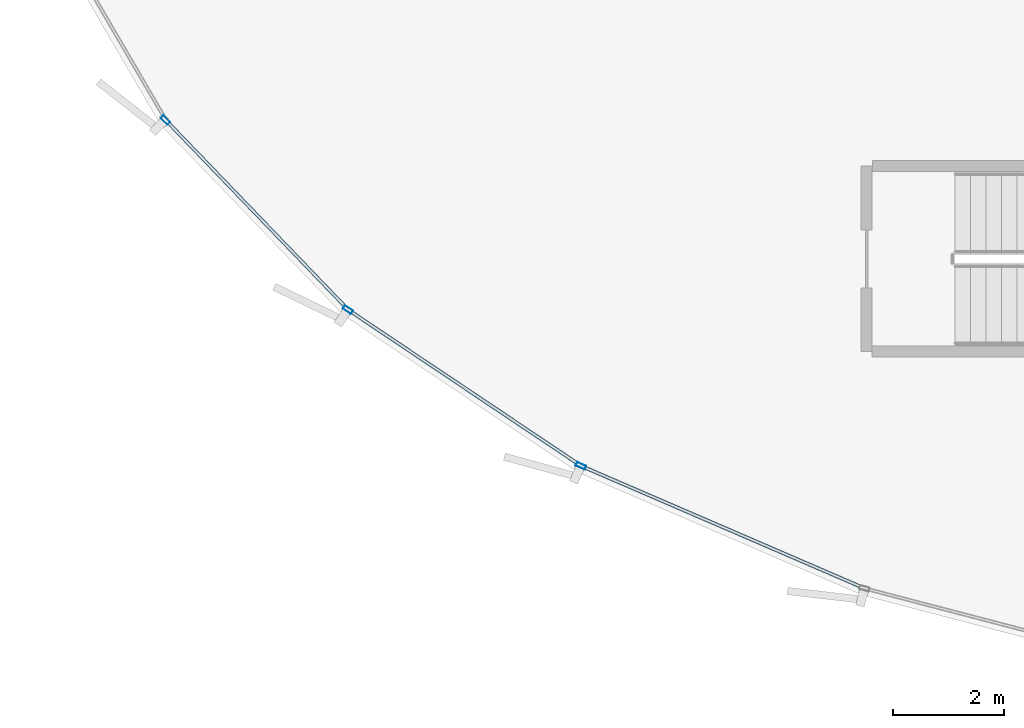
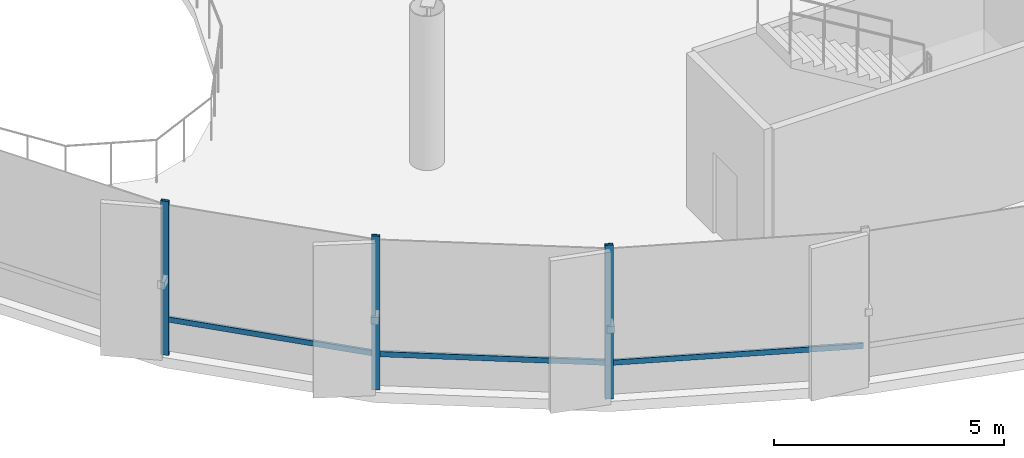
# One storey, part 2 of 34: 6 members, 1 element without a shape of its own.
"""IFC4 building model written with IfcOpenShell, lengths in metres."""

from ifc_helpers import new_model, si_unit, direction, frame, origin, origin_2d, place, context, subcontext, project, spatial, hollow_rectangle, extrude, source, transform, mapped, material, layer, layer_set, material_profile, profile_set, type_object, element, aggregate, save


model = new_model("IFC4")

# Units and contexts
model_context = context("Model", 3, precision=1e-05, world=origin(), true_north=direction((0.0, 1.0)))
body_context = subcontext(model_context, "Body", "Model", "MODEL_VIEW")
ifc_project = project(units=[si_unit("LENGTHUNIT", "METRE"), si_unit("AREAUNIT", "SQUARE_METRE"), si_unit("VOLUMEUNIT", "CUBIC_METRE"), si_unit("PLANEANGLEUNIT", "RADIAN"), si_unit("MASSUNIT", "GRAM", prefix="KILO"), si_unit("THERMODYNAMICTEMPERATUREUNIT", "KELVIN")], contexts=[model_context])

# Site, building, storey
site_placement = place(None, origin())
site = spatial("IfcSite", under=ifc_project, at=site_placement, CompositionType="ELEMENT")
building_placement = place(site_placement, origin())
building = spatial("IfcBuilding", under=site, at=building_placement, Name="Kethvar Cultural Tower", CompositionType="ELEMENT")
storey_placement = place(building_placement, frame((0.0, 0.0, 19.60009765625)))
storey = spatial("IfcBuildingStorey", under=building, at=storey_placement, Name="L04", CompositionType="ELEMENT", Elevation=19.60009765625)

# Curtain wall, members
ifc_material = material(Name="Aluminium 6063-T6", Category="aluminium")
ifc_layer = layer(ifc_material, 0.179931640625, Name="Aluminium 6063-T6", Category="aluminium")
ifc_layer_set = layer_set([ifc_layer], Name="Aluminium 6063-T6 (180 mm)")
curtain_wall_type = type_object("IfcCurtainWallType", Name="CW-SYS-01-POD", PredefinedType="NOTDEFINED", material=ifc_layer_set)
curtain_wall_placement = place(storey_placement, origin())
curtain_wall = element("IfcCurtainWall", 1, at=curtain_wall_placement, inside=storey, type_object=curtain_wall_type, Name="L04 Curtain Wall Run 04", PredefinedType="NOTDEFINED")
ifc_material_profile_1 = material_profile(ifc_material, hollow_rectangle(XDim=0.06005859375, YDim=0.139892578125, WallThickness=0.0048828125, at=origin_2d()), Name="Aluminium 6063-T6 — RHS140x60x5")
ifc_profile_set_1 = profile_set([ifc_material_profile_1], Name="Aluminium 6063-T6 — RHS140x60x5")
member_type_1 = type_object("IfcMemberType", Name="CW-SYS-01-POD-TRN", PredefinedType="USERDEFINED", material=ifc_profile_set_1)
shared_shape_1 = source(origin(), body_context, "Body", "SweptSolid", [
    extrude(hollow_rectangle(XDim=0.06005859375, YDim=0.139892578125, WallThickness=0.0048828125, at=origin_2d()), origin(), (0.0, 0.0, 1.0), 4.6826171875),
])
member_1_placement = place(storey_placement, frame((5.24658203125, 11.657470703125, 0.949951171875), z_axis=(0.693341040309, -0.72060960431, 0.0), x_axis=(0.72060960431, 0.693341040309, 0.0)))
member_1 = element("IfcMember", 2, at=member_1_placement, type_object=member_type_1, Name="CW-L04-R04 Transom 2", ObjectType="TRANSOM", PredefinedType="USERDEFINED", context=body_context, shape_type="MappedRepresentation", body=[
    mapped(shared_shape_1, transform((0.0, 0.0, 0.0), scale=1.0)),
])
shared_shape_2 = source(origin(), body_context, "Body", "SweptSolid", [
    extrude(hollow_rectangle(XDim=0.06005859375, YDim=0.139892578125, WallThickness=0.0048828125, at=origin_2d()), origin(), (0.0, 0.0, 1.0), 4.991455078125),
])
member_2_placement = place(storey_placement, frame((8.55419921875, 8.232177734375, 0.949951171875), z_axis=(0.830806616573, -0.556561196867, 0.0), x_axis=(0.556561196867, 0.830806616573, 0.0)))
member_2 = element("IfcMember", 3, at=member_2_placement, type_object=member_type_1, Name="CW-L04-R04 Transom 3", ObjectType="TRANSOM", PredefinedType="USERDEFINED", context=body_context, shape_type="MappedRepresentation", body=[
    mapped(shared_shape_2, transform((0.0, 0.0, 0.0), scale=1.0)),
])
shared_shape_3 = source(origin(), body_context, "Body", "SweptSolid", [
    extrude(hollow_rectangle(XDim=0.06005859375, YDim=0.139892578125, WallThickness=0.0048828125, at=origin_2d()), origin(), (0.0, 0.0, 1.0), 5.504638671875),
])
member_3_placement = place(storey_placement, frame((12.77490234375, 5.413818359375, 0.949951171875), z_axis=(0.918072625283, -0.39641222825, 0.0), x_axis=(0.39641222825, 0.918072625283, 0.0)))
member_3 = element("IfcMember", 4, at=member_3_placement, type_object=member_type_1, Name="CW-L04-R04 Transom 4", ObjectType="TRANSOM", PredefinedType="USERDEFINED", context=body_context, shape_type="MappedRepresentation", body=[
    mapped(shared_shape_3, transform((0.0, 0.0, 0.0), scale=1.0)),
])
ifc_material_profile_2 = material_profile(ifc_material, hollow_rectangle(XDim=0.074951171875, YDim=0.179931640625, WallThickness=0.006103515625, at=origin_2d()), Name="Aluminium 6063-T6 — RHS180x75x6")
ifc_profile_set_2 = profile_set([ifc_material_profile_2], Name="Aluminium 6063-T6 — RHS180x75x6")
member_type_2 = type_object("IfcMemberType", Name="CW-SYS-01-POD-MUL", PredefinedType="MULLION", material=ifc_profile_set_2)
shared_shape_4 = source(origin(), body_context, "Body", "SweptSolid", [
    extrude(hollow_rectangle(XDim=0.074951171875, YDim=0.179931640625, WallThickness=0.006103515625, at=origin_2d()), origin(), (0.0, 0.0, 1.0), 4.079833984375),
])
member_4_placement = place(storey_placement, frame((5.209228515625, 11.6962890625, 0.0), z_axis=(0.0, 0.0, 1.0), x_axis=(0.720611619661, 0.693338945689, 0.0)))
member_4 = element("IfcMember", 5, at=member_4_placement, type_object=member_type_2, Name="CW-L04-R04 Mullion 2", PredefinedType="MULLION", context=body_context, shape_type="MappedRepresentation", body=[
    mapped(shared_shape_4, transform((0.0, 0.0, 0.0), scale=1.0)),
])
member_5_placement = place(storey_placement, frame((8.50927734375, 8.26220703125, 0.0), z_axis=(0.0, 0.0, 1.0), x_axis=(0.556556649514, 0.830809662848, 0.0)))
member_5 = element("IfcMember", 6, at=member_5_placement, type_object=member_type_2, Name="CW-L04-R04 Mullion 3", PredefinedType="MULLION", context=body_context, shape_type="MappedRepresentation", body=[
    mapped(shared_shape_4, transform((0.0, 0.0, 0.0), scale=1.0)),
])
member_6_placement = place(storey_placement, frame((12.72509765625, 5.435302734375, 0.0), z_axis=(0.0, 0.0, 1.0), x_axis=(0.396410942082, 0.918073180633, 0.0)))
member_6 = element("IfcMember", 7, at=member_6_placement, type_object=member_type_2, Name="CW-L04-R04 Mullion 4", PredefinedType="MULLION", context=body_context, shape_type="MappedRepresentation", body=[
    mapped(shared_shape_4, transform((0.0, 0.0, 0.0), scale=1.0)),
])
aggregate(curtain_wall, [member_4, member_5, member_6, member_1, member_2, member_3])

save(model, "model.ifc")
